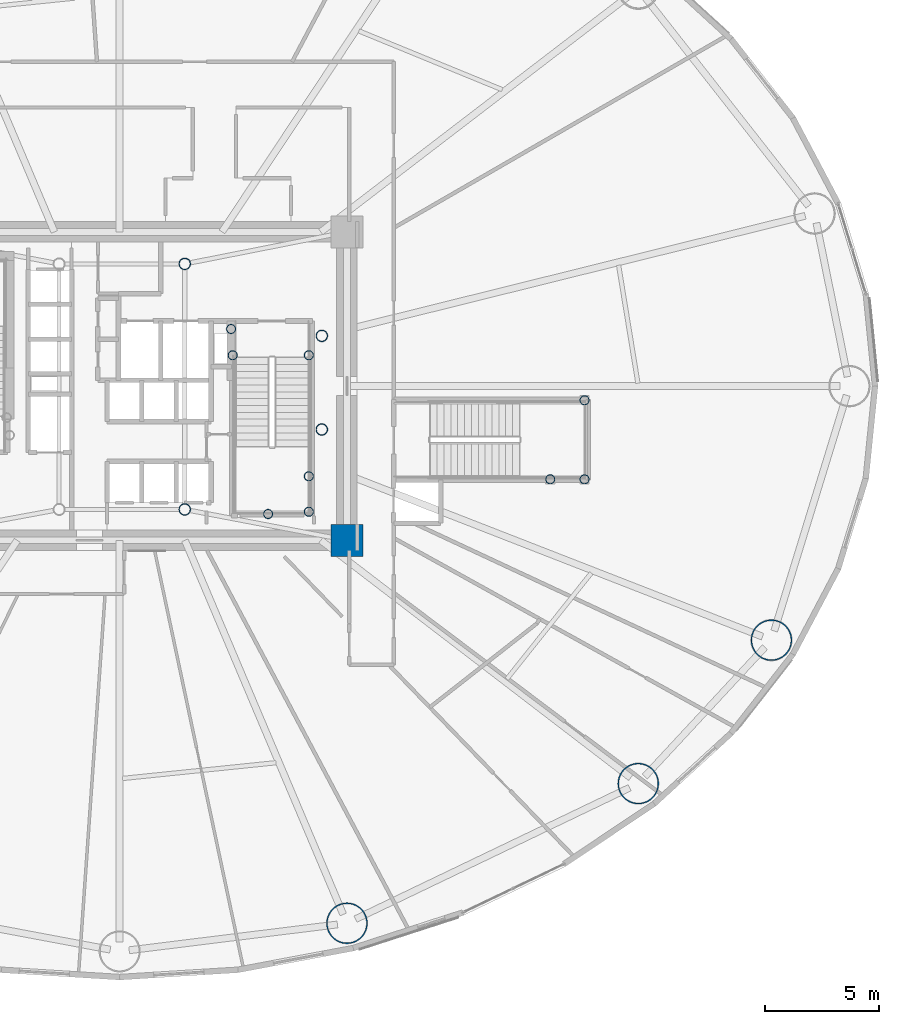
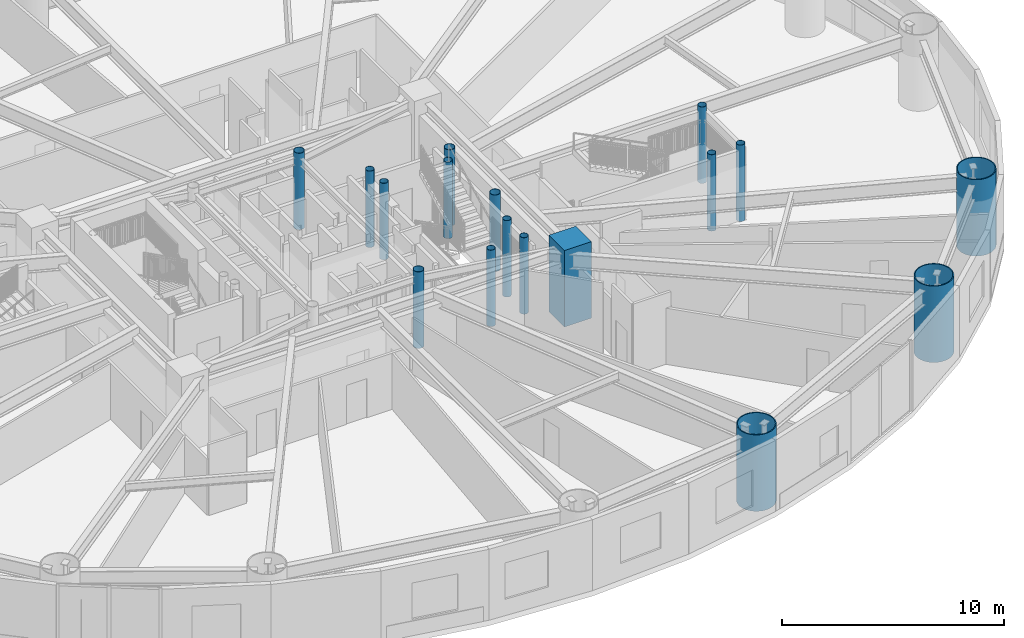
# One storey, part 2 of 27: 17 columns.
"""IFC4 building model written with IfcOpenShell, lengths in metres."""

import ifcopenshell
import ifcopenshell.guid

model = None  # the IFC model being written
_history = None  # IfcOwnerHistory: only IFC2X3 demands one
_inside = {}  # id of a spatial element -> (the spatial element, [elements in it])
_under = {}  # id of a project, library or spatial element -> (it, [spatial elements below it])
_declared = {}  # id of a project -> (the project, [libraries it declares])
_typed = {}  # id of a type object -> (the type object, [elements of that type])
_made_of = {}  # id of a material, layer set ... -> (it, [elements and type objects made of it])


def new_model(schema):
    """Start an empty IFC model of exactly this schema.

    Asked for "IFC4X3", IfcOpenShell would pick the latest addendum, in which some entities
    have other attributes; the version numbers below select the first issue.
    IFC2X3 requires an IfcOwnerHistory on every rooted entity: one is made here for all.
    """
    global model, _history
    if schema == "IFC4X3":
        model = ifcopenshell.file(schema_version=(4, 3, 0, 0))
    else:
        model = ifcopenshell.file(schema=schema)
    _inside.clear()
    _under.clear()
    _declared.clear()
    _typed.clear()
    _made_of.clear()
    _history = None
    if model.schema == "IFC2X3":
        org = make("IfcOrganization", Name="unknown")
        user = make(
            "IfcPersonAndOrganization",
            ThePerson=make("IfcPerson", FamilyName="unknown"),
            TheOrganization=org,
        )
        app = make(
            "IfcApplication",
            ApplicationDeveloper=org,
            Version="unknown",
            ApplicationFullName="unknown",
            ApplicationIdentifier="unknown",
        )
        _history = make(
            "IfcOwnerHistory",
            OwningUser=user,
            OwningApplication=app,
            ChangeAction="ADDED",
            CreationDate=0,
        )
    return model


def make(cls, **values):
    """One entity of the class cls with the attributes given. An attribute that is None is left unset."""
    return model.create_entity(
        cls, **{name: value for name, value in values.items() if value is not None}
    )


def rooted(cls, **values):
    """An entity with a GlobalId (a new one), such as an element, a storey or a relation."""
    return make(cls, GlobalId=ifcopenshell.guid.new(), OwnerHistory=_history, **values)


def si_unit(unit_type, name, prefix=None):
    """IfcSIUnit, for example si_unit("LENGTHUNIT", "METRE", prefix="MILLI")."""
    return make("IfcSIUnit", UnitType=unit_type, Prefix=prefix, Name=name)


def assignment(units):
    """IfcUnitAssignment: the units of a project."""
    return None if units is None else make("IfcUnitAssignment", Units=units)


def point(xyz):
    """IfcCartesianPoint."""
    return None if xyz is None else make("IfcCartesianPoint", Coordinates=xyz)


def direction(xyz):
    """IfcDirection."""
    return None if xyz is None else make("IfcDirection", DirectionRatios=xyz)


def frame(location, z_axis=None, x_axis=None):
    """IfcAxis2Placement3D, a coordinate frame: its origin and axes. An axis left out is left unset."""
    return make(
        "IfcAxis2Placement3D",
        Location=point(location),
        Axis=direction(z_axis),
        RefDirection=direction(x_axis),
    )


def frame_2d(location, x_axis=None):
    """IfcAxis2Placement2D, a coordinate frame in the plane: its origin and x axis."""
    return make(
        "IfcAxis2Placement2D", Location=point(location), RefDirection=direction(x_axis)
    )


def origin():
    """The frame at (0, 0, 0) with its axes left unset."""
    return frame((0.0, 0.0, 0.0))


def origin_2d():
    """The frame at (0, 0) in the plane with its x axis left unset."""
    return frame_2d((0.0, 0.0))


def place(relative_to, where):
    """IfcLocalPlacement: puts the frame where relative to a parent placement (None: the world)."""
    return make(
        "IfcLocalPlacement", PlacementRelTo=relative_to, RelativePlacement=where
    )


def context(
    kind, dimensions, precision=None, world=None, true_north=None, identifier=None
):
    """IfcGeometricRepresentationContext, for example the 3D "Model" context."""
    return make(
        "IfcGeometricRepresentationContext",
        ContextIdentifier=identifier,
        ContextType=kind,
        CoordinateSpaceDimension=dimensions,
        Precision=precision,
        WorldCoordinateSystem=world,
        TrueNorth=true_north,
    )


def subcontext(parent, identifier, kind, view, scale=None):
    """IfcGeometricRepresentationSubContext, for example "Body" below "Model"."""
    return make(
        "IfcGeometricRepresentationSubContext",
        ContextIdentifier=identifier,
        ContextType=kind,
        ParentContext=parent,
        TargetScale=scale,
        TargetView=view,
    )


def project(units=None, contexts=None):
    """IfcProject with its units and contexts."""
    return rooted(
        "IfcProject",
        Name="project",
        RepresentationContexts=contexts,
        UnitsInContext=assignment(units),
    )


def spatial(cls, under=None, at=None, **own):
    """A site, building, storey or space (cls), placed at a placement, below another one or the project."""
    s = rooted(cls, ObjectPlacement=at, **own)
    if under is not None:
        _under.setdefault(under.id(), (under, []))[1].append(s)
    return s


def profile(cls, at=None, kind="AREA", **sizes):
    """A parametric profile (cls). Its sizes go by their IFC names, for example OverallWidth=200.0."""
    return make(cls, ProfileType=kind, Position=at, **sizes)


def rectangle(**sizes):
    """IfcRectangleProfileDef."""
    return profile("IfcRectangleProfileDef", **sizes)


def hollow_circle(**sizes):
    """IfcCircleHollowProfileDef."""
    return profile("IfcCircleHollowProfileDef", **sizes)


def extrude(swept, where, along, depth):
    """IfcExtrudedAreaSolid: the profile swept, set in the frame where, extruded along a direction by depth."""
    return make(
        "IfcExtrudedAreaSolid",
        SweptArea=swept,
        Position=where,
        ExtrudedDirection=direction(along),
        Depth=depth,
    )


def shape(context_of_items, identifier, shape_type, items):
    """IfcShapeRepresentation: the items that make up one representation, for example the "Body"."""
    return make(
        "IfcShapeRepresentation",
        ContextOfItems=context_of_items,
        RepresentationIdentifier=identifier,
        RepresentationType=shape_type,
        Items=items,
    )


def material(Name=None, Category=None):
    """IfcMaterial."""
    return make("IfcMaterial", Name=Name, Category=Category)


def material_profile(
    of_material, cross_section, Name=None, Category=None, Priority=None
):
    """IfcMaterialProfile: a cross section and its material."""
    return make(
        "IfcMaterialProfile",
        Name=Name,
        Material=of_material,
        Profile=cross_section,
        Priority=Priority,
        Category=Category,
    )


def profile_set(profiles, Name=None, composite=None):
    """IfcMaterialProfileSet."""
    return make(
        "IfcMaterialProfileSet",
        Name=Name,
        MaterialProfiles=profiles,
        CompositeProfile=composite,
    )


def made_of(thing, what):
    """Note that an element or type object is made of a material, layer set ...; save() writes the relation."""
    if what is not None:
        _made_of.setdefault(what.id(), (what, []))[1].append(thing)
    return thing


def type_object(cls, material=None, **own):
    """A type object (cls), such as IfcWallType, which elements share."""
    return made_of(rooted(cls, **own), material)


def element(
    cls,
    number,
    at=None,
    inside=None,
    cuts=None,
    type_object=None,
    material=None,
    context=None,
    identifier="Body",
    shape_type=None,
    held_by="IfcProductDefinitionShape",
    body=None,
    shapes=None,
    **own,
):
    """One element of the class cls, such as IfcWall. Its Tag is "e" and its number.

    at: its placement. inside: the storey or other place that contains it. cuts: it is an
    opening in that element (IfcRelVoidsElement). A single representation is given by context,
    identifier, shape_type and body (its items); several are given by shapes. held_by: the class
    of the entity that holds the representations. save() writes the other relations.
    """
    e = rooted(cls, Tag="e%d" % number, ObjectPlacement=at, **own)
    if body is not None:
        shapes = [shape(context, identifier, shape_type, body)]
    if shapes is not None:
        e.Representation = make(held_by, Representations=shapes)
    if inside is not None:
        _inside.setdefault(inside.id(), (inside, []))[1].append(e)
    if cuts is not None:
        rooted(
            "IfcRelVoidsElement", RelatingBuildingElement=cuts, RelatedOpeningElement=e
        )
    if type_object is not None:
        _typed.setdefault(type_object.id(), (type_object, []))[1].append(e)
    return made_of(e, material)


def aggregate(whole, parts):
    """IfcRelAggregates: a whole, such as a stair, and the parts it consists of."""
    return rooted("IfcRelAggregates", RelatingObject=whole, RelatedObjects=parts)


def save(model, path):
    """Write the relations noted so far, then the file.

    IfcRelAggregates (storeys below a building ...), IfcRelContainedInSpatialStructure (elements
    in a storey), IfcRelDefinesByType, IfcRelAssociatesMaterial and IfcRelDeclares: one each for
    every whole, place, type object, material and project.
    """
    for whole, parts in _under.values():
        aggregate(whole, parts)
    for where, things in _inside.values():
        rooted(
            "IfcRelContainedInSpatialStructure",
            RelatedElements=things,
            RelatingStructure=where,
        )
    for kind, things in _typed.values():
        rooted("IfcRelDefinesByType", RelatedObjects=things, RelatingType=kind)
    for what, things in _made_of.values():
        rooted("IfcRelAssociatesMaterial", RelatedObjects=things, RelatingMaterial=what)
    for by, libraries in _declared.values():
        rooted("IfcRelDeclares", RelatingContext=by, RelatedDefinitions=libraries)
    model.write(path)


model = new_model("IFC4")

# Units and contexts
model_context = context("Model", 3, precision=1e-05, world=origin(), true_north=direction((0.0, 1.0)))
body_context = subcontext(model_context, "Body", "Model", "MODEL_VIEW")
ifc_project = project(units=[si_unit("LENGTHUNIT", "METRE"), si_unit("AREAUNIT", "SQUARE_METRE"), si_unit("VOLUMEUNIT", "CUBIC_METRE"), si_unit("PLANEANGLEUNIT", "RADIAN"), si_unit("MASSUNIT", "GRAM", prefix="KILO")], contexts=[model_context])

# Site, building, storey
site_placement = place(None, origin())
site = spatial("IfcSite", under=ifc_project, at=site_placement, CompositionType="ELEMENT")
building_placement = place(site_placement, origin())
building = spatial("IfcBuilding", under=site, at=building_placement, Name="Linh Dai School and Residence Tower", CompositionType="ELEMENT")
storey_placement = place(building_placement, frame((0.0, 0.0, 14.39990234375)))
storey = spatial("IfcBuildingStorey", under=building, at=storey_placement, Name="L03", CompositionType="ELEMENT", Elevation=14.39990234375)

# Columns
ifc_material_1 = material(Name="Concrete B60 (C50/60)", Category="concrete")
ifc_material_profile_1 = material_profile(ifc_material_1, rectangle(XDim=1.39990234375, YDim=1.39990234375, at=origin_2d()), Name="RC 1400x1400")
ifc_profile_set_1 = profile_set([ifc_material_profile_1], Name="Concrete B60 (C50/60)")
column_type_1 = type_object("IfcColumnType", Name="COL-CC1", PredefinedType="COLUMN", material=ifc_profile_set_1)
column_placement = place(storey_placement, frame((45.949951171875, 20.25, 0.0), z_axis=(0.0, 0.0, 1.0), x_axis=(1.0, 0.0, 0.0)))
element("IfcColumn", 1, at=column_placement, inside=storey, type_object=column_type_1, Name="L03 Core Corner Pier CC2", PredefinedType="COLUMN", context=body_context, shape_type="SweptSolid", body=[
    extrude(rectangle(XDim=1.39990234375, YDim=1.39990234375, at=origin_2d()), origin(), (0.0, 0.0, 1.0), 4.2001953125),
])
ifc_material_2 = material(Name="Structural Steel S355JR", Category="steel")
ifc_material_profile_2 = material_profile(ifc_material_2, hollow_circle(Radius=0.203125, WallThickness=0.01611328125, at=origin_2d()), Name="CHS 406.4x16")
ifc_profile_set_2 = profile_set([ifc_material_profile_2], Name="Structural Steel S355JR")
column_type_2 = type_object("IfcColumnType", Name="COL-EC", PredefinedType="COLUMN", material=ifc_profile_set_2)
for number, where, z_axis, x_axis, name in (
    (2, (44.280029296875, 21.5, 0.0), (0.0, 0.0, 1.0), (1.0, 0.0, 0.0), "L03 Stair Shaft Landing Support Pier ST2SE"),
    (3, (44.280029296875, 23.050048828125, 0.0), (0.0, 0.0, 1.0), (1.0, 0.0, 0.0), "L03 Stair Shaft Landing Support Pier ST2NE"),
    (4, (42.5, 21.39990234375, 0.0), (0.0, 0.0, 1.0), (1.0, 0.0, 0.0), "L03 Stair Shaft Landing Support Pier ST2MS"),
    (5, (40.949951171875, 28.35009765625, 0.0), (0.0, 0.0, 1.0), (1.0, 0.0, 0.0), "L03 Stair Shaft Landing Support Pier ST2N1"),
    (6, (44.280029296875, 28.35009765625, 0.0), (0.0, 0.0, 1.0), (1.0, 0.0, 0.0), "L03 Stair Shaft Landing Support Pier ST2N2"),
    (7, (40.8798828125, 29.5, 0.0), (0.0, 0.0, 1.0), (1.0, 0.0, 0.0), "L03 Stair Shaft Landing Support Pier ST2N3"),
    (8, (56.35009765625, 26.3798828125, 0.0), (0.0, 0.0, 1.0), (1.0, 0.0, 0.0), "L03 Stair Shaft Landing Support Pier STS2NE"),
    (9, (56.35009765625, 22.919921875, 0.0), (0.0, 0.0, 1.0), (1.0, 0.0, 0.0), "L03 Stair Shaft Landing Support Pier STS2SE"),
    (10, (54.85009765625, 22.919921875, 0.0), (0.0, 0.0, 1.0), (1.0, 0.0, 0.0), "L03 Stair Shaft Landing Support Pier STS2MW"),
):
    element("IfcColumn", number, at=place(storey_placement, frame(where, z_axis=z_axis, x_axis=x_axis)), inside=storey, type_object=column_type_2, Name=name, PredefinedType="COLUMN", context=body_context, shape_type="SweptSolid", body=[
        extrude(hollow_circle(Radius=0.203125, WallThickness=0.01611328125, at=origin_2d()), origin(), (0.0, 0.0, 1.0), 4.2001953125),
    ])
ifc_material_profile_3 = material_profile(ifc_material_2, hollow_circle(Radius=0.89990234375, WallThickness=0.050048828125, at=origin_2d()), Name="CHS 1800x50")
ifc_profile_set_3 = profile_set([ifc_material_profile_3], Name="Structural Steel S355JR")
column_type_3 = type_object("IfcColumnType", Name="COL-MC1", PredefinedType="COLUMN", material=ifc_profile_set_3)
for number, where, z_axis, x_axis, name in (
    (11, (45.951171875, 3.48388671875, 0.0), (0.0, 0.0, 1.0), (1.0, 0.0, 0.0), "L03 Perimeter CFT Mega-Column MC14"),
    (12, (58.705322265625, 9.599365234375, 0.0), (0.0, 0.0, 1.0), (1.0, 0.0, 0.0), "L03 Perimeter CFT Mega-Column MC15"),
    (13, (64.53369140625, 15.8779296875, 0.0), (0.0, 0.0, 1.0), (1.0, 0.0, 0.0), "L03 Perimeter CFT Mega-Column MC16"),
):
    element("IfcColumn", number, at=place(storey_placement, frame(where, z_axis=z_axis, x_axis=x_axis)), inside=storey, type_object=column_type_3, Name=name, PredefinedType="COLUMN", context=body_context, shape_type="SweptSolid", body=[
        extrude(hollow_circle(Radius=0.89990234375, WallThickness=0.050048828125, at=origin_2d()), origin(), (0.0, 0.0, 1.0), 4.2001953125),
    ])
ifc_material_profile_4 = material_profile(ifc_material_2, hollow_circle(Radius=0.25390625, WallThickness=0.02001953125, at=origin_2d()), Name="CHS 508x20")
ifc_profile_set_4 = profile_set([ifc_material_profile_4], Name="Structural Steel S355JR")
column_type_4 = type_object("IfcColumnType", Name="COL-MCP", PredefinedType="COLUMN", material=ifc_profile_set_4)
for number, where, z_axis, x_axis, name in (
    (14, (38.85009765625, 21.60009765625, 0.0), (0.0, 0.0, 1.0), (1.0, 0.0, 0.0), "L03 Core Mast Support Pier MCP2"),
    (15, (38.85009765625, 32.35009765625, 0.0), (0.0, 0.0, 1.0), (1.0, 0.0, 0.0), "L03 Core Mast Support Pier MCP3"),
    (16, (44.85009765625, 25.10009765625, 0.0), (0.0, 0.0, 1.0), (1.0, 0.0, 0.0), "L03 Sky-Lounge Core Anchor Pier S"),
    (17, (44.85009765625, 29.199951171875, 0.0), (0.0, 0.0, 1.0), (1.0, 0.0, 0.0), "L03 Sky-Lounge Core Anchor Pier N"),
):
    element("IfcColumn", number, at=place(storey_placement, frame(where, z_axis=z_axis, x_axis=x_axis)), inside=storey, type_object=column_type_4, Name=name, PredefinedType="COLUMN", context=body_context, shape_type="SweptSolid", body=[
        extrude(hollow_circle(Radius=0.25390625, WallThickness=0.02001953125, at=origin_2d()), origin(), (0.0, 0.0, 1.0), 4.2001953125),
    ])

save(model, "model.ifc")
